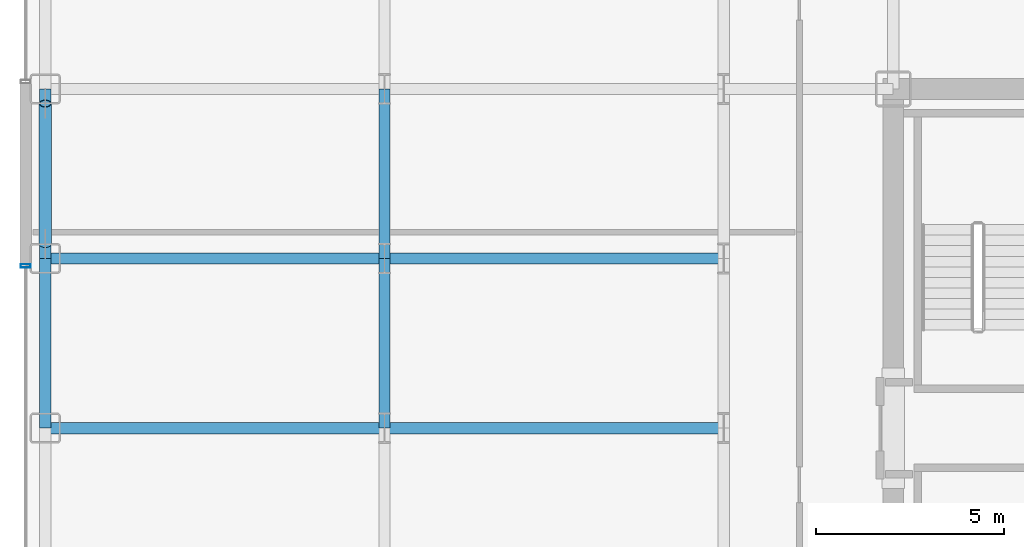
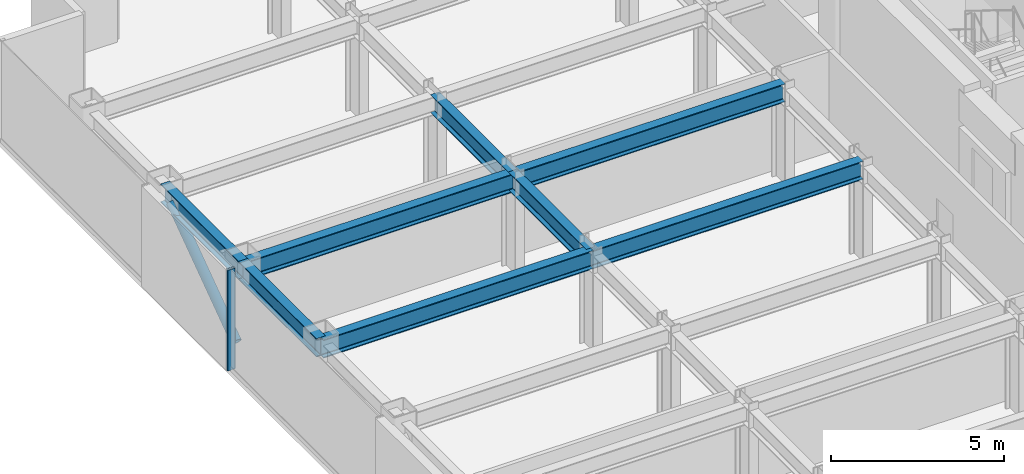
# One storey, part 7 of 27: 8 beams, 2 members, 1 element without a shape of its own.
"""IFC4 building model written with IfcOpenShell, lengths in metres."""

from ifc_helpers import new_model, si_unit, direction, frame, origin, origin_2d, place, context, subcontext, project, spatial, hollow_rectangle, hollow_circle, i_section, extrude, source, transform, mapped, material, layer, layer_set, material_profile, profile_set, type_object, element, aggregate, save


model = new_model("IFC4")

# Units and contexts
model_context = context("Model", 3, precision=1e-05, world=origin(), true_north=direction((0.0, 1.0)))
body_context = subcontext(model_context, "Body", "Model", "MODEL_VIEW")
ifc_project = project(units=[si_unit("LENGTHUNIT", "METRE"), si_unit("AREAUNIT", "SQUARE_METRE"), si_unit("VOLUMEUNIT", "CUBIC_METRE"), si_unit("PLANEANGLEUNIT", "RADIAN"), si_unit("MASSUNIT", "GRAM", prefix="KILO")], contexts=[model_context])

# Site, building, storey
site_placement = place(None, origin())
site = spatial("IfcSite", under=ifc_project, at=site_placement, CompositionType="ELEMENT")
building_placement = place(site_placement, origin())
building = spatial("IfcBuilding", under=site, at=building_placement, Name="Nefas-Gora Pilgrimage Tower", CompositionType="ELEMENT")
storey_placement = place(building_placement, frame((0.0, 0.0, 148.800048828125)))
storey = spatial("IfcBuildingStorey", under=building, at=storey_placement, Name="L36", CompositionType="ELEMENT", Elevation=148.800048828125)

# Beams
ifc_material_1 = material(Name="Steel S355", Category="steel")
ifc_material_profile_1 = material_profile(ifc_material_1, i_section(OverallWidth=0.300048828125, OverallDepth=0.64990234375, WebThickness=0.01611328125, FlangeThickness=0.031005859375, FilletRadius=0.027099609375, at=origin_2d()), Name="HEB 650")
ifc_profile_set_1 = profile_set([ifc_material_profile_1], Name="Steel S355")
beam_type_1 = type_object("IfcBeamType", Name="BM-SPN-HEB500", PredefinedType="SPANDREL", material=ifc_profile_set_1)
shared_shape_1 = source(origin(), body_context, "Body", "SweptSolid", [
    extrude(i_section(OverallWidth=0.300048828125, OverallDepth=0.64990234375, WebThickness=0.01611328125, FlangeThickness=0.031005859375, FilletRadius=0.027099609375, at=origin_2d()), origin(), (0.0, 0.0, 1.0), 4.5),
])
for number, where, z_axis, x_axis, name in (
    (1, (-33.75, 0.0, 3.224853515625), (0.0, 1.0, 0.0), (-1.0, 0.0, 0.0), "L36 SP-02 beam"),
    (2, (-33.75, 4.5, 3.224853515625), (0.0, 1.0, 0.0), (-1.0, 0.0, 0.0), "L36 SP-02 beam"),
):
    element("IfcBeam", number, at=place(storey_placement, frame(where, z_axis=z_axis, x_axis=x_axis)), inside=storey, type_object=beam_type_1, Name=name, PredefinedType="SPANDREL", context=body_context, shape_type="MappedRepresentation", body=[
        mapped(shared_shape_1, transform((0.0, 0.0, 0.0), x_axis=(1.0, 0.0, 0.0), y_axis=(0.0, 1.0, 0.0), z_axis=(0.0, 0.0, 1.0), scale=1.0)),
    ])
ifc_material_profile_2 = material_profile(ifc_material_1, i_section(OverallWidth=0.300048828125, OverallDepth=0.64990234375, WebThickness=0.01611328125, FlangeThickness=0.031005859375, FilletRadius=0.027099609375, at=origin_2d()), Name="HEB 650")
ifc_profile_set_2 = profile_set([ifc_material_profile_2], Name="Steel S355")
beam_type_2 = type_object("IfcBeamType", Name="BM-GIR-HEB650", PredefinedType="BEAM", material=ifc_profile_set_2)
shared_shape_2 = source(origin(), body_context, "Body", "SweptSolid", [
    extrude(i_section(OverallWidth=0.300048828125, OverallDepth=0.64990234375, WebThickness=0.01611328125, FlangeThickness=0.031005859375, FilletRadius=0.027099609375, at=origin_2d()), origin(), (0.0, 0.0, 1.0), 9.0),
])
for number, where, z_axis, x_axis, name in (
    (3, (-33.75, 0.0, 3.224853515625), (1.0, 0.0, 0.0), (0.0, 1.0, 0.0), "L36 G-03 beam"),
    (4, (-33.75, 4.5, 3.224853515625), (1.0, 0.0, 0.0), (0.0, 1.0, 0.0), "L36 G-03 beam"),
    (5, (-24.75, 0.0, 3.224853515625), (1.0, 0.0, 0.0), (0.0, 1.0, 0.0), "L36 G-03 beam"),
    (6, (-24.75, 4.5, 3.224853515625), (1.0, 0.0, 0.0), (0.0, 1.0, 0.0), "L36 G-03 beam"),
):
    element("IfcBeam", number, at=place(storey_placement, frame(where, z_axis=z_axis, x_axis=x_axis)), inside=storey, type_object=beam_type_2, Name=name, PredefinedType="BEAM", context=body_context, shape_type="MappedRepresentation", body=[
        mapped(shared_shape_2, transform((0.0, 0.0, 0.0), x_axis=(1.0, 0.0, 0.0), y_axis=(0.0, 1.0, 0.0), z_axis=(0.0, 0.0, 1.0), scale=1.0)),
    ])
shared_shape_3 = source(origin(), body_context, "Body", "SweptSolid", [
    extrude(i_section(OverallWidth=0.300048828125, OverallDepth=0.64990234375, WebThickness=0.01611328125, FlangeThickness=0.031005859375, FilletRadius=0.027099609375, at=origin_2d()), origin(), (0.0, 0.0, 1.0), 4.5),
])
for number, where, z_axis, x_axis, name in (
    (7, (-24.75, 0.0, 3.224853515625), (0.0, 1.0, 0.0), (-1.0, 0.0, 0.0), "L36 G-03 beam"),
    (8, (-24.75, 4.5, 3.224853515625), (0.0, 1.0, 0.0), (-1.0, 0.0, 0.0), "L36 G-03 beam"),
):
    element("IfcBeam", number, at=place(storey_placement, frame(where, z_axis=z_axis, x_axis=x_axis)), inside=storey, type_object=beam_type_2, Name=name, PredefinedType="BEAM", context=body_context, shape_type="MappedRepresentation", body=[
        mapped(shared_shape_3, transform((0.0, 0.0, 0.0), x_axis=(1.0, 0.0, 0.0), y_axis=(0.0, 1.0, 0.0), z_axis=(0.0, 0.0, 1.0), scale=1.0)),
    ])

# Member
ifc_material_profile_3 = material_profile(ifc_material_1, hollow_circle(Radius=0.161865234375, WallThickness=0.02001953125, at=origin_2d()), Name="CHS 323.9x20")
ifc_profile_set_3 = profile_set([ifc_material_profile_3], Name="Steel S355")
member_type_1 = type_object("IfcMemberType", Name="MEM-TUBE-324", PredefinedType="BRACE", material=ifc_profile_set_3)
shared_shape_4 = source(origin(), body_context, "Body", "SweptSolid", [
    extrude(hollow_circle(Radius=0.161865234375, WallThickness=0.02001953125, at=origin_2d()), origin(), (0.0, 0.0, 1.0), 4.579345703125),
])
member_1_placement = place(storey_placement, frame((-33.75, 4.887939453125, 0.427490234375), z_axis=(0.0, 0.813246879171, 0.581918820385), x_axis=(-1.0, 0.0, 0.0)))
element("IfcMember", 9, at=member_1_placement, inside=storey, type_object=member_type_1, Name="L36 Perimeter Tube Diagonal Brace W2", PredefinedType="BRACE", context=body_context, shape_type="MappedRepresentation", body=[
    mapped(shared_shape_4, transform((0.0, 0.0, 0.0), x_axis=(1.0, 0.0, 0.0), y_axis=(0.0, 1.0, 0.0), z_axis=(0.0, 0.0, 1.0), scale=1.0)),
])

# Curtain wall, member
ifc_material_2 = material(Name="Dark ceramic-fritted solar-control aluminium-glass curtain wall", Category="aluminium")
ifc_layer = layer(ifc_material_2, 0.219970703125)
ifc_layer_set = layer_set([ifc_layer], Name="Dark ceramic-fritted solar-control aluminium-glass curtain wall")
curtain_wall_type = type_object("IfcCurtainWallType", Name="CW-SYS-3", PredefinedType="NOTDEFINED", material=ifc_layer_set)
curtain_wall_placement = place(storey_placement, origin())
curtain_wall = element("IfcCurtainWall", 10, at=curtain_wall_placement, inside=storey, type_object=curtain_wall_type, Name="L36 Unitised Curtain Wall CW3", PredefinedType="NOTDEFINED")
ifc_material_3 = material(Name="Anodised architectural aluminium", Category="aluminium")
ifc_material_profile_4 = material_profile(ifc_material_3, hollow_rectangle(XDim=0.090087890625, YDim=0.260009765625, WallThickness=0.006103515625, InnerFilletRadius=0.006103515625, OuterFilletRadius=0.011962890625, at=origin_2d()), Name="ALU MULLION 90x260")
ifc_profile_set_4 = profile_set([ifc_material_profile_4], Name="Anodised architectural aluminium")
member_type_2 = type_object("IfcMemberType", Name="CWM-MUL-3", PredefinedType="MULLION", material=ifc_profile_set_4)
shared_shape_5 = source(origin(), body_context, "Body", "SweptSolid", [
    extrude(hollow_rectangle(XDim=0.090087890625, YDim=0.260009765625, WallThickness=0.006103515625, InnerFilletRadius=0.006103515625, OuterFilletRadius=0.011962890625, at=origin_2d()), origin(), (0.0, 0.0, 1.0), 3.550048828125),
])
member_2_placement = place(storey_placement, frame((-34.27001953125, 4.304931640625, 0.0), z_axis=(0.0, 0.0, 1.0), x_axis=(0.0, -1.0, 0.0)))
member_2 = element("IfcMember", 11, at=member_2_placement, type_object=member_type_2, Name="CW3 Mullion 1", PredefinedType="MULLION", context=body_context, shape_type="MappedRepresentation", body=[
    mapped(shared_shape_5, transform((0.0, 0.0, 0.0), x_axis=(1.0, 0.0, 0.0), y_axis=(0.0, 1.0, 0.0), z_axis=(0.0, 0.0, 1.0), scale=1.0)),
])
aggregate(curtain_wall, [member_2])

save(model, "model.ifc")
